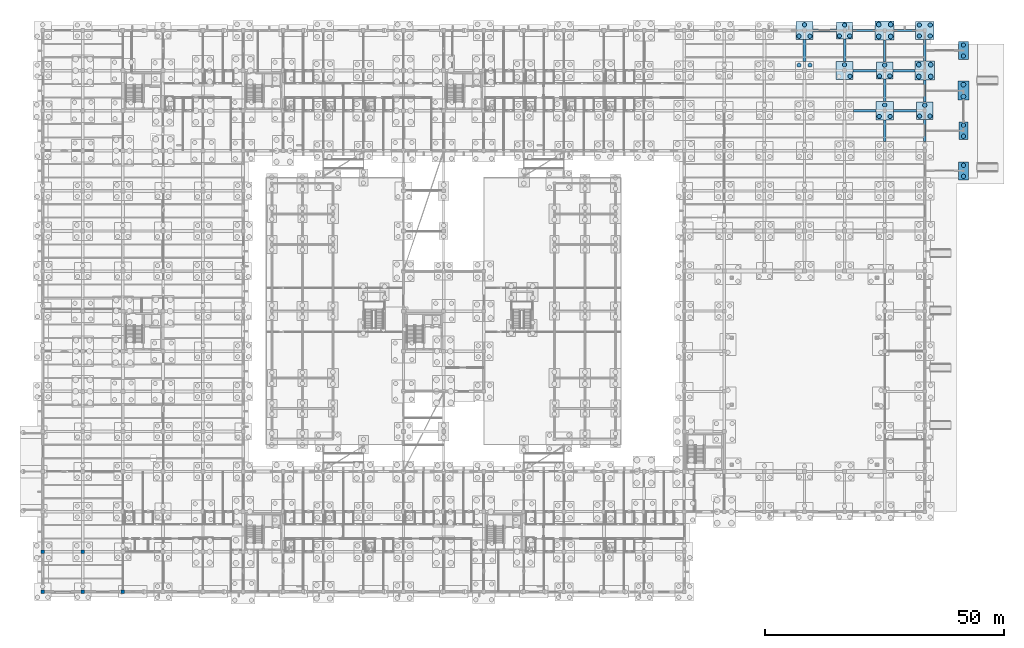
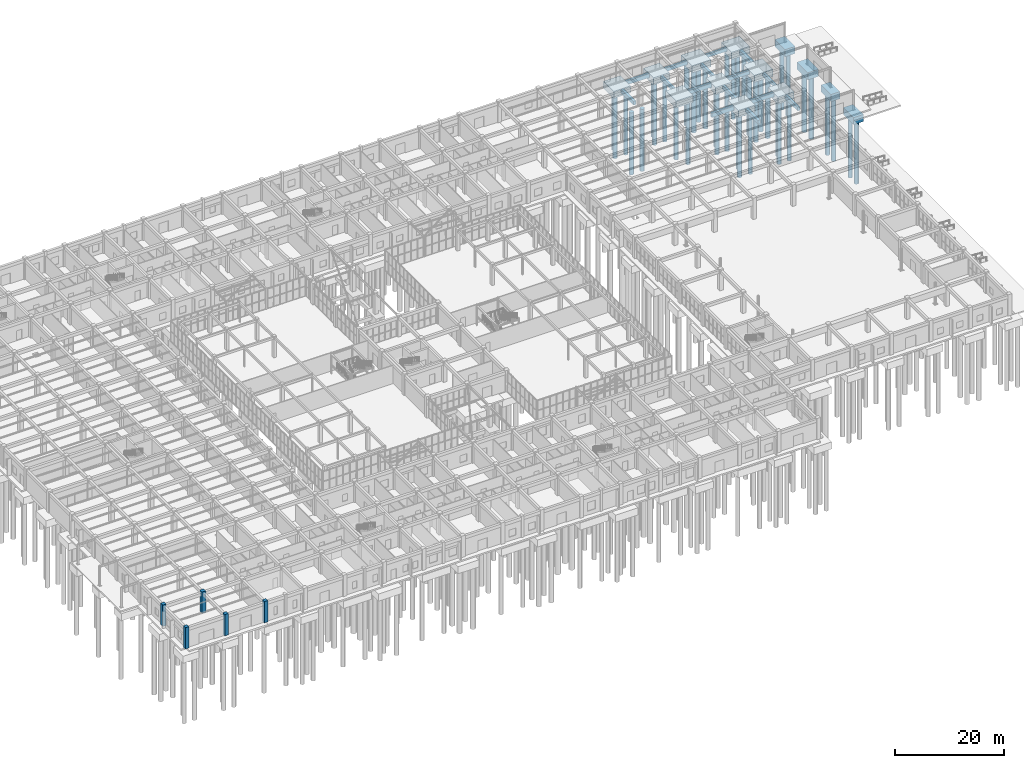
# One storey, part 16 of 192: 39 piles, 28 footings, 5 columns.
"""IFC4 building model written with IfcOpenShell, lengths in metres."""

from ifc_helpers import new_model, si_unit, direction, frame, origin, origin_2d, place, context, subcontext, project, spatial, rectangle, circle, extrude, material, layer, layer_set, material_profile, profile_set, type_object, element, save


model = new_model("IFC4")

# Units and contexts
model_context = context("Model", 3, precision=1e-05, world=origin(), true_north=direction((0.0, 1.0)))
body_context = subcontext(model_context, "Body", "Model", "MODEL_VIEW")
ifc_project = project(units=[si_unit("LENGTHUNIT", "METRE"), si_unit("AREAUNIT", "SQUARE_METRE"), si_unit("VOLUMEUNIT", "CUBIC_METRE"), si_unit("PLANEANGLEUNIT", "RADIAN"), si_unit("MASSUNIT", "GRAM", prefix="KILO")], contexts=[model_context])

# Site, building, storey
site_placement = place(None, origin())
site = spatial("IfcSite", under=ifc_project, at=site_placement, CompositionType="ELEMENT")
building_placement = place(site_placement, origin())
building = spatial("IfcBuilding", under=site, at=building_placement, Name="Trelvath General Hospital", CompositionType="ELEMENT")
storey_placement = place(building_placement, origin())
storey = spatial("IfcBuildingStorey", under=building, at=storey_placement, Name="L00", CompositionType="ELEMENT", Elevation=0.0)

# Piles
ifc_material_1 = material(Name="Concrete C35/45", Category="concrete")
ifc_material_profile_1 = material_profile(ifc_material_1, circle(Radius=0.5, at=origin_2d()), Name="PILE1000")
ifc_profile_set_1 = profile_set([ifc_material_profile_1], Name="Concrete C35/45")
pile_type_1 = type_object("IfcPileType", Name="BoredPile D1000", PredefinedType="BORED", material=ifc_profile_set_1)
for number, where, z_axis, x_axis, name in (
    (1, (175.14990234375, 116.35009765625, -1.800048828125), (0.0, 0.0, -1.0), (1.0, 0.0, 0.0), "Bored Pile P-1126"),
    (2, (177.64990234375, 116.35009765625, -1.800048828125), (0.0, 0.0, -1.0), (1.0, 0.0, 0.0), "Bored Pile P-1127"),
    (3, (175.14990234375, 118.85009765625, -1.800048828125), (0.0, 0.0, -1.0), (1.0, 0.0, 0.0), "Bored Pile P-1128"),
    (4, (177.64990234375, 118.85009765625, -1.800048828125), (0.0, 0.0, -1.0), (1.0, 0.0, 0.0), "Bored Pile P-1129"),
    (5, (183.550048828125, 107.949951171875, -1.800048828125), (0.0, 0.0, -1.0), (1.0, 0.0, 0.0), "Bored Pile P-1168"),
    (6, (186.050048828125, 107.949951171875, -1.800048828125), (0.0, 0.0, -1.0), (1.0, 0.0, 0.0), "Bored Pile P-1169"),
    (7, (183.550048828125, 110.449951171875, -1.800048828125), (0.0, 0.0, -1.0), (1.0, 0.0, 0.0), "Bored Pile P-1170"),
    (8, (186.050048828125, 110.449951171875, -1.800048828125), (0.0, 0.0, -1.0), (1.0, 0.0, 0.0), "Bored Pile P-1171"),
    (9, (192.89990234375, 103.75, -1.800048828125), (0.0, 0.0, -1.0), (1.0, 0.0, 0.0), "Bored Pile P-1180"),
    (10, (192.89990234375, 106.25, -1.800048828125), (0.0, 0.0, -1.0), (1.0, 0.0, 0.0), "Bored Pile P-1181"),
):
    element("IfcPile", number, at=place(storey_placement, frame(where, z_axis=z_axis, x_axis=x_axis)), inside=storey, type_object=pile_type_1, Name=name, PredefinedType="BORED", context=body_context, shape_type="SweptSolid", body=[
        extrude(circle(Radius=0.5, at=origin_2d()), origin(), (0.0, 0.0, 1.0), 14.0),
    ])
ifc_material_2 = material(Name="Concrete C35/45", Category="concrete")
ifc_material_profile_2 = material_profile(ifc_material_2, circle(Radius=0.449951171875, at=origin_2d()), Name="PILE900")
ifc_profile_set_2 = profile_set([ifc_material_profile_2], Name="Concrete C35/45")
pile_type_2 = type_object("IfcPileType", Name="BoredPile D900", PredefinedType="BORED", material=ifc_profile_set_2)
for number, where, z_axis, x_axis, name in (
    (11, (158.449951171875, 110.35009765625, -1.800048828125), (0.0, 0.0, -1.0), (1.0, 0.0, 0.0), "Bored Pile P-1050"),
    (12, (160.75, 110.35009765625, -1.800048828125), (0.0, 0.0, -1.0), (1.0, 0.0, 0.0), "Bored Pile P-1051"),
    (13, (158.4599609375, 116.39990234375, -1.800048828125), (0.0, 0.0, -1.0), (1.0, 0.0, 0.0), "Bored Pile P-1052"),
    (14, (160.739990234375, 116.39990234375, -1.800048828125), (0.0, 0.0, -1.0), (1.0, 0.0, 0.0), "Bored Pile P-1053"),
    (15, (159.60009765625, 118.800048828125, -1.800048828125), (0.0, 0.0, -1.0), (1.0, 0.0, 0.0), "Bored Pile P-1054"),
    (16, (169.139892578125, 108.0, -1.800048828125), (0.0, 0.0, -1.0), (1.0, 0.0, 0.0), "Bored Pile P-1081"),
    (17, (168.0, 110.39990234375, -1.800048828125), (0.0, 0.0, -1.0), (1.0, 0.0, 0.0), "Bored Pile P-1082"),
    (18, (166.919921875, 116.4599609375, -1.800048828125), (0.0, 0.0, -1.0), (1.0, 0.0, 0.0), "Bored Pile P-1083"),
    (19, (169.080078125, 116.4599609375, -1.800048828125), (0.0, 0.0, -1.0), (1.0, 0.0, 0.0), "Bored Pile P-1084"),
    (20, (168.0, 118.739990234375, -1.800048828125), (0.0, 0.0, -1.0), (1.0, 0.0, 0.0), "Bored Pile P-1085"),
    (21, (175.260009765625, 99.60009765625, -1.800048828125), (0.0, 0.0, -1.0), (1.0, 0.0, 0.0), "Bored Pile P-1120"),
    (22, (177.5400390625, 99.60009765625, -1.800048828125), (0.0, 0.0, -1.0), (1.0, 0.0, 0.0), "Bored Pile P-1121"),
    (23, (176.39990234375, 102.0, -1.800048828125), (0.0, 0.0, -1.0), (1.0, 0.0, 0.0), "Bored Pile P-1122"),
    (24, (175.320068359375, 108.06005859375, -1.800048828125), (0.0, 0.0, -1.0), (1.0, 0.0, 0.0), "Bored Pile P-1123"),
    (25, (177.47998046875, 108.06005859375, -1.800048828125), (0.0, 0.0, -1.0), (1.0, 0.0, 0.0), "Bored Pile P-1124"),
    (26, (176.39990234375, 110.340087890625, -1.800048828125), (0.0, 0.0, -1.0), (1.0, 0.0, 0.0), "Bored Pile P-1125"),
    (27, (183.719970703125, 99.659912109375, -1.800048828125), (0.0, 0.0, -1.0), (1.0, 0.0, 0.0), "Bored Pile P-1165"),
    (28, (185.8798828125, 99.659912109375, -1.800048828125), (0.0, 0.0, -1.0), (1.0, 0.0, 0.0), "Bored Pile P-1166"),
    (29, (184.800048828125, 101.93994140625, -1.800048828125), (0.0, 0.0, -1.0), (1.0, 0.0, 0.0), "Bored Pile P-1167"),
    (30, (183.64990234375, 116.449951171875, -1.800048828125), (0.0, 0.0, -1.0), (1.0, 0.0, 0.0), "Bored Pile P-1172"),
    (31, (185.949951171875, 116.449951171875, -1.800048828125), (0.0, 0.0, -1.0), (1.0, 0.0, 0.0), "Bored Pile P-1173"),
    (32, (183.64990234375, 118.75, -1.800048828125), (0.0, 0.0, -1.0), (1.0, 0.0, 0.0), "Bored Pile P-1174"),
    (33, (185.949951171875, 118.75, -1.800048828125), (0.0, 0.0, -1.0), (1.0, 0.0, 0.0), "Bored Pile P-1175"),
    (34, (192.89990234375, 87.050048828125, -1.800048828125), (0.0, 0.0, -1.0), (1.0, 0.0, 0.0), "Bored Pile P-1176"),
    (35, (192.89990234375, 89.35009765625, -1.800048828125), (0.0, 0.0, -1.0), (1.0, 0.0, 0.0), "Bored Pile P-1177"),
    (36, (192.89990234375, 95.449951171875, -1.800048828125), (0.0, 0.0, -1.0), (1.0, 0.0, 0.0), "Bored Pile P-1178"),
    (37, (192.89990234375, 97.75, -1.800048828125), (0.0, 0.0, -1.0), (1.0, 0.0, 0.0), "Bored Pile P-1179"),
    (38, (192.89990234375, 112.25, -1.800048828125), (0.0, 0.0, -1.0), (1.0, 0.0, 0.0), "Bored Pile P-1182"),
    (39, (192.89990234375, 114.550048828125, -1.800048828125), (0.0, 0.0, -1.0), (1.0, 0.0, 0.0), "Bored Pile P-1183"),
):
    element("IfcPile", number, at=place(storey_placement, frame(where, z_axis=z_axis, x_axis=x_axis)), inside=storey, type_object=pile_type_2, Name=name, PredefinedType="BORED", context=body_context, shape_type="SweptSolid", body=[
        extrude(circle(Radius=0.449951171875, at=origin_2d()), origin(), (0.0, 0.0, 1.0), 14.0),
    ])

# Footings
ifc_material_3 = material(Name="Concrete C35/45", Category="concrete")
ifc_layer_1 = layer(ifc_material_3, 1.60009765625)
ifc_layer_set_1 = layer_set([ifc_layer_1], Name="Concrete C35/45")
footing_type_1 = type_object("IfcFootingType", Name="PileCap 2P 190x360", PredefinedType="PILE_CAP", material=ifc_layer_set_1)
footing_1_placement = place(storey_placement, frame((192.89990234375, 96.60009765625, -1.900146484375), z_axis=(0.0, 0.0, 1.0), x_axis=(1.0, 0.0, 0.0)))
element("IfcFooting", 40, at=footing_1_placement, inside=storey, type_object=footing_type_1, Name="Pile Cap PC-324", PredefinedType="PILE_CAP", context=body_context, shape_type="SweptSolid", body=[
    extrude(rectangle(XDim=1.89990234375, YDim=3.60009765625, at=origin_2d()), origin(), (0.0, 0.0, 1.0), 1.60009765625),
])
ifc_material_4 = material(Name="Concrete C35/45", Category="concrete")
ifc_layer_2 = layer(ifc_material_4, 1.60009765625)
ifc_layer_set_2 = layer_set([ifc_layer_2], Name="Concrete C35/45")
footing_type_2 = type_object("IfcFootingType", Name="PileCap 2P 210x380", PredefinedType="PILE_CAP", material=ifc_layer_set_2)
for number, where, z_axis, x_axis, name in (
    (41, (192.89990234375, 88.199951171875, -1.900146484375), (0.0, 0.0, 1.0), (1.0, 0.0, 0.0), "Pile Cap PC-323"),
    (42, (192.89990234375, 113.39990234375, -1.900146484375), (0.0, 0.0, 1.0), (1.0, 0.0, 0.0), "Pile Cap PC-326"),
):
    element("IfcFooting", number, at=place(storey_placement, frame(where, z_axis=z_axis, x_axis=x_axis)), inside=storey, type_object=footing_type_2, Name=name, PredefinedType="PILE_CAP", context=body_context, shape_type="SweptSolid", body=[
        extrude(rectangle(XDim=2.10009765625, YDim=3.800048828125, at=origin_2d()), origin(), (0.0, 0.0, 1.0), 1.60009765625),
    ])
ifc_material_5 = material(Name="Concrete C35/45", Category="concrete")
ifc_layer_3 = layer(ifc_material_5, 1.60009765625)
ifc_layer_set_3 = layer_set([ifc_layer_3], Name="Concrete C35/45")
footing_type_3 = type_object("IfcFootingType", Name="PileCap 2P 230x400", PredefinedType="PILE_CAP", material=ifc_layer_set_3)
footing_2_placement = place(storey_placement, frame((192.89990234375, 105.0, -1.900146484375), z_axis=(0.0, 0.0, 1.0), x_axis=(1.0, 0.0, 0.0)))
element("IfcFooting", 43, at=footing_2_placement, inside=storey, type_object=footing_type_3, Name="Pile Cap PC-325", PredefinedType="PILE_CAP", context=body_context, shape_type="SweptSolid", body=[
    extrude(rectangle(XDim=2.300048828125, YDim=4.0, at=origin_2d()), origin(), (0.0, 0.0, 1.0), 1.60009765625),
])
ifc_material_6 = material(Name="Concrete C35/45", Category="concrete")
ifc_layer_4 = layer(ifc_material_6, 1.60009765625)
ifc_layer_set_4 = layer_set([ifc_layer_4], Name="Concrete C35/45")
footing_type_4 = type_object("IfcFootingType", Name="PileCap 3P 340x360", PredefinedType="PILE_CAP", material=ifc_layer_set_4)
for number, where, z_axis, x_axis, name in (
    (44, (168.0, 117.60009765625, -1.900146484375), (0.0, 0.0, 1.0), (1.0, 0.0, 0.0), "Pile Cap PC-296"),
    (45, (176.39990234375, 109.199951171875, -1.900146484375), (0.0, 0.0, 1.0), (1.0, 0.0, 0.0), "Pile Cap PC-308"),
    (46, (184.800048828125, 100.800048828125, -1.900146484375), (0.0, 0.0, 1.0), (1.0, 0.0, 0.0), "Pile Cap PC-320"),
):
    element("IfcFooting", number, at=place(storey_placement, frame(where, z_axis=z_axis, x_axis=x_axis)), inside=storey, type_object=footing_type_4, Name=name, PredefinedType="PILE_CAP", context=body_context, shape_type="SweptSolid", body=[
        extrude(rectangle(XDim=3.39990234375, YDim=3.60009765625, at=origin_2d()), origin(), (0.0, 0.0, 1.0), 1.60009765625),
    ])
ifc_material_7 = material(Name="Concrete C35/45", Category="concrete")
ifc_layer_5 = layer(ifc_material_7, 1.60009765625)
ifc_layer_set_5 = layer_set([ifc_layer_5], Name="Concrete C35/45")
footing_type_5 = type_object("IfcFootingType", Name="PileCap 3P 360x380", PredefinedType="PILE_CAP", material=ifc_layer_set_5)
for number, where, z_axis, x_axis, name in (
    (47, (159.60009765625, 117.60009765625, -1.900146484375), (0.0, 0.0, 1.0), (1.0, 0.0, 0.0), "Pile Cap PC-287"),
    (48, (168.0, 109.199951171875, -1.900146484375), (0.0, 0.0, 1.0), (1.0, 0.0, 0.0), "Pile Cap PC-295"),
    (49, (176.39990234375, 100.800048828125, -1.900146484375), (0.0, 0.0, 1.0), (1.0, 0.0, 0.0), "Pile Cap PC-307"),
):
    element("IfcFooting", number, at=place(storey_placement, frame(where, z_axis=z_axis, x_axis=x_axis)), inside=storey, type_object=footing_type_5, Name=name, PredefinedType="PILE_CAP", context=body_context, shape_type="SweptSolid", body=[
        extrude(rectangle(XDim=3.60009765625, YDim=3.800048828125, at=origin_2d()), origin(), (0.0, 0.0, 1.0), 1.60009765625),
    ])
ifc_material_8 = material(Name="Concrete C35/45", Category="concrete")
ifc_layer_6 = layer(ifc_material_8, 1.60009765625)
ifc_layer_set_6 = layer_set([ifc_layer_6], Name="Concrete C35/45")
footing_type_6 = type_object("IfcFootingType", Name="PileCap 4P 380x380", PredefinedType="PILE_CAP", material=ifc_layer_set_6)
footing_3_placement = place(storey_placement, frame((184.800048828125, 117.60009765625, -1.900146484375), z_axis=(0.0, 0.0, 1.0), x_axis=(1.0, 0.0, 0.0)))
element("IfcFooting", 50, at=footing_3_placement, inside=storey, type_object=footing_type_6, Name="Pile Cap PC-322", PredefinedType="PILE_CAP", context=body_context, shape_type="SweptSolid", body=[
    extrude(rectangle(XDim=3.800048828125, YDim=3.800048828125, at=origin_2d()), origin(), (0.0, 0.0, 1.0), 1.60009765625),
])
ifc_material_9 = material(Name="Concrete C35/45", Category="concrete")
ifc_layer_7 = layer(ifc_material_9, 1.60009765625)
ifc_layer_set_7 = layer_set([ifc_layer_7], Name="Concrete C35/45")
footing_type_7 = type_object("IfcFootingType", Name="PileCap 4P 400x400", PredefinedType="PILE_CAP", material=ifc_layer_set_7)
for number, where, z_axis, x_axis, name in (
    (51, (176.39990234375, 117.60009765625, -1.900146484375), (0.0, 0.0, 1.0), (1.0, 0.0, 0.0), "Pile Cap PC-309"),
    (52, (184.800048828125, 109.199951171875, -1.900146484375), (0.0, 0.0, 1.0), (1.0, 0.0, 0.0), "Pile Cap PC-321"),
):
    element("IfcFooting", number, at=place(storey_placement, frame(where, z_axis=z_axis, x_axis=x_axis)), inside=storey, type_object=footing_type_7, Name=name, PredefinedType="PILE_CAP", context=body_context, shape_type="SweptSolid", body=[
        extrude(rectangle(XDim=4.0, YDim=4.0, at=origin_2d()), origin(), (0.0, 0.0, 1.0), 1.60009765625),
    ])
ifc_material_10 = material(Name="Concrete C35/45", Category="concrete")
ifc_layer_8 = layer(ifc_material_10, 0.75)
ifc_layer_set_8 = layer_set([ifc_layer_8], Name="Concrete C35/45")
footing_type_8 = type_object("IfcFootingType", Name="TieBeam 450x750", PredefinedType="FOOTING_BEAM", material=ifc_layer_set_8)
footing_4_placement = place(storey_placement, frame((176.39990234375, 113.300048828125, -1.050048828125), z_axis=(0.0, 0.0, 1.0), x_axis=(1.0, 0.0, 0.0)))
element("IfcFooting", 53, at=footing_4_placement, inside=storey, type_object=footing_type_8, Name="Foundation Tie Beam TB-371", PredefinedType="FOOTING_BEAM", context=body_context, shape_type="SweptSolid", body=[
    extrude(rectangle(XDim=0.449951171875, YDim=4.60009765625, at=origin_2d()), origin(), (0.0, 0.0, 1.0), 0.75),
])
footing_5_placement = place(storey_placement, frame((180.64990234375, 117.60009765625, -1.050048828125), z_axis=(0.0, 0.0, 1.0), x_axis=(1.0, 0.0, 0.0)))
element("IfcFooting", 54, at=footing_5_placement, inside=storey, type_object=footing_type_8, Name="Foundation Tie Beam TB-372", PredefinedType="FOOTING_BEAM", context=body_context, shape_type="SweptSolid", body=[
    extrude(rectangle(XDim=4.5, YDim=0.449951171875, at=origin_2d()), origin(), (0.0, 0.0, 1.0), 0.75),
])
footing_6_placement = place(storey_placement, frame((184.800048828125, 104.89990234375, -1.050048828125), z_axis=(0.0, 0.0, 1.0), x_axis=(1.0, 0.0, 0.0)))
element("IfcFooting", 55, at=footing_6_placement, inside=storey, type_object=footing_type_8, Name="Foundation Tie Beam TB-383", PredefinedType="FOOTING_BEAM", context=body_context, shape_type="SweptSolid", body=[
    extrude(rectangle(XDim=0.449951171875, YDim=4.60009765625, at=origin_2d()), origin(), (0.0, 0.0, 1.0), 0.75),
])
ifc_material_11 = material(Name="Concrete C35/45", Category="concrete")
ifc_layer_9 = layer(ifc_material_11, 0.800048828125)
ifc_layer_set_9 = layer_set([ifc_layer_9], Name="Concrete C35/45")
footing_type_9 = type_object("IfcFootingType", Name="TieBeam 500x800", PredefinedType="FOOTING_BEAM", material=ifc_layer_set_9)
footing_7_placement = place(storey_placement, frame((168.0, 113.449951171875, -1.10009765625), z_axis=(0.0, 0.0, 1.0), x_axis=(1.0, 0.0, 0.0)))
element("IfcFooting", 56, at=footing_7_placement, inside=storey, type_object=footing_type_9, Name="Foundation Tie Beam TB-357", PredefinedType="FOOTING_BEAM", context=body_context, shape_type="SweptSolid", body=[
    extrude(rectangle(XDim=0.5, YDim=4.699951171875, at=origin_2d()), origin(), (0.0, 0.0, 1.0), 0.800048828125),
])
footing_8_placement = place(storey_placement, frame((172.050048828125, 117.60009765625, -1.10009765625), z_axis=(0.0, 0.0, 1.0), x_axis=(1.0, 0.0, 0.0)))
element("IfcFooting", 57, at=footing_8_placement, inside=storey, type_object=footing_type_9, Name="Foundation Tie Beam TB-358", PredefinedType="FOOTING_BEAM", context=body_context, shape_type="SweptSolid", body=[
    extrude(rectangle(XDim=4.699951171875, YDim=0.5, at=origin_2d()), origin(), (0.0, 0.0, 1.0), 0.800048828125),
])
footing_9_placement = place(storey_placement, frame((176.39990234375, 105.050048828125, -1.10009765625), z_axis=(0.0, 0.0, 1.0), x_axis=(1.0, 0.0, 0.0)))
element("IfcFooting", 58, at=footing_9_placement, inside=storey, type_object=footing_type_9, Name="Foundation Tie Beam TB-369", PredefinedType="FOOTING_BEAM", context=body_context, shape_type="SweptSolid", body=[
    extrude(rectangle(XDim=0.5, YDim=4.699951171875, at=origin_2d()), origin(), (0.0, 0.0, 1.0), 0.800048828125),
])
footing_10_placement = place(storey_placement, frame((180.449951171875, 109.199951171875, -1.10009765625), z_axis=(0.0, 0.0, 1.0), x_axis=(1.0, 0.0, 0.0)))
element("IfcFooting", 59, at=footing_10_placement, inside=storey, type_object=footing_type_9, Name="Foundation Tie Beam TB-370", PredefinedType="FOOTING_BEAM", context=body_context, shape_type="SweptSolid", body=[
    extrude(rectangle(XDim=4.699951171875, YDim=0.5, at=origin_2d()), origin(), (0.0, 0.0, 1.0), 0.800048828125),
])
footing_11_placement = place(storey_placement, frame((184.800048828125, 96.64990234375, -1.10009765625), z_axis=(0.0, 0.0, 1.0), x_axis=(1.0, 0.0, 0.0)))
element("IfcFooting", 60, at=footing_11_placement, inside=storey, type_object=footing_type_9, Name="Foundation Tie Beam TB-382", PredefinedType="FOOTING_BEAM", context=body_context, shape_type="SweptSolid", body=[
    extrude(rectangle(XDim=0.5, YDim=4.699951171875, at=origin_2d()), origin(), (0.0, 0.0, 1.0), 0.800048828125),
])
ifc_material_12 = material(Name="Concrete C35/45", Category="concrete")
ifc_layer_10 = layer(ifc_material_12, 0.85009765625)
ifc_layer_set_10 = layer_set([ifc_layer_10], Name="Concrete C35/45")
footing_type_10 = type_object("IfcFootingType", Name="TieBeam 550x850", PredefinedType="FOOTING_BEAM", material=ifc_layer_set_10)
footing_12_placement = place(storey_placement, frame((159.60009765625, 113.39990234375, -1.150146484375), z_axis=(0.0, 0.0, 1.0), x_axis=(1.0, 0.0, 0.0)))
element("IfcFooting", 61, at=footing_12_placement, inside=storey, type_object=footing_type_10, Name="Foundation Tie Beam TB-343", PredefinedType="FOOTING_BEAM", context=body_context, shape_type="SweptSolid", body=[
    extrude(rectangle(XDim=0.550048828125, YDim=4.60009765625, at=origin_2d()), origin(), (0.0, 0.0, 1.0), 0.85009765625),
])
for number, where, z_axis, x_axis, name in (
    (62, (163.85009765625, 117.60009765625, -1.150146484375), (0.0, 0.0, 1.0), (1.0, 0.0, 0.0), "Foundation Tie Beam TB-344"),
    (63, (172.25, 109.199951171875, -1.150146484375), (0.0, 0.0, 1.0), (1.0, 0.0, 0.0), "Foundation Tie Beam TB-356"),
):
    element("IfcFooting", number, at=place(storey_placement, frame(where, z_axis=z_axis, x_axis=x_axis)), inside=storey, type_object=footing_type_10, Name=name, PredefinedType="FOOTING_BEAM", context=body_context, shape_type="SweptSolid", body=[
        extrude(rectangle(XDim=4.89990234375, YDim=0.550048828125, at=origin_2d()), origin(), (0.0, 0.0, 1.0), 0.85009765625),
    ])
footing_13_placement = place(storey_placement, frame((176.39990234375, 96.60009765625, -1.150146484375), z_axis=(0.0, 0.0, 1.0), x_axis=(1.0, 0.0, 0.0)))
element("IfcFooting", 64, at=footing_13_placement, inside=storey, type_object=footing_type_10, Name="Foundation Tie Beam TB-367", PredefinedType="FOOTING_BEAM", context=body_context, shape_type="SweptSolid", body=[
    extrude(rectangle(XDim=0.550048828125, YDim=4.60009765625, at=origin_2d()), origin(), (0.0, 0.0, 1.0), 0.85009765625),
])
footing_14_placement = place(storey_placement, frame((180.64990234375, 100.800048828125, -1.150146484375), z_axis=(0.0, 0.0, 1.0), x_axis=(1.0, 0.0, 0.0)))
element("IfcFooting", 65, at=footing_14_placement, inside=storey, type_object=footing_type_10, Name="Foundation Tie Beam TB-368", PredefinedType="FOOTING_BEAM", context=body_context, shape_type="SweptSolid", body=[
    extrude(rectangle(XDim=4.89990234375, YDim=0.550048828125, at=origin_2d()), origin(), (0.0, 0.0, 1.0), 0.85009765625),
])
ifc_material_13 = material(Name="Concrete C35/45", Category="concrete")
ifc_layer_11 = layer(ifc_material_13, 0.89990234375)
ifc_layer_set_11 = layer_set([ifc_layer_11], Name="Concrete C35/45")
footing_type_11 = type_object("IfcFootingType", Name="TieBeam 600x900", PredefinedType="FOOTING_BEAM", material=ifc_layer_set_11)
footing_15_placement = place(storey_placement, frame((172.25, 100.800048828125, -1.199951171875), z_axis=(0.0, 0.0, 1.0), x_axis=(1.0, 0.0, 0.0)))
element("IfcFooting", 66, at=footing_15_placement, inside=storey, type_object=footing_type_11, Name="Foundation Tie Beam TB-354", PredefinedType="FOOTING_BEAM", context=body_context, shape_type="SweptSolid", body=[
    extrude(rectangle(XDim=4.699951171875, YDim=0.60009765625, at=origin_2d()), origin(), (0.0, 0.0, 1.0), 0.89990234375),
])
footing_16_placement = place(storey_placement, frame((184.800048828125, 113.449951171875, -1.199951171875), z_axis=(0.0, 0.0, 1.0), x_axis=(1.0, 0.0, 0.0)))
element("IfcFooting", 67, at=footing_16_placement, inside=storey, type_object=footing_type_11, Name="Foundation Tie Beam TB-384", PredefinedType="FOOTING_BEAM", context=body_context, shape_type="SweptSolid", body=[
    extrude(rectangle(XDim=0.60009765625, YDim=4.5, at=origin_2d()), origin(), (0.0, 0.0, 1.0), 0.89990234375),
])

# Columns
ifc_material_14 = material(Name="Concrete C40/50", Category="concrete")
ifc_material_profile_3 = material_profile(ifc_material_14, rectangle(XDim=0.760009765625, YDim=0.760009765625, at=origin_2d()), Name="RC760x760")
ifc_profile_set_3 = profile_set([ifc_material_profile_3], Name="Concrete C40/50")
column_type_1 = type_object("IfcColumnType", Name="Column RC760", PredefinedType="COLUMN", material=ifc_profile_set_3)
for number, where, z_axis, x_axis, name in (
    (68, (0.0, 0.0, 0.0), (0.0, 0.0, 1.0), (1.0, 0.0, 0.0), "Column C-1A L00"),
    (69, (0.0, 8.39990234375, 0.0), (0.0, 0.0, 1.0), (1.0, 0.0, 0.0), "Column C-1B L00"),
    (70, (8.39990234375, 0.0, 0.0), (0.0, 0.0, 1.0), (1.0, 0.0, 0.0), "Column C-2A L00"),
    (71, (16.800048828125, 0.0, 0.0), (0.0, 0.0, 1.0), (1.0, 0.0, 0.0), "Column C-3A L00"),
):
    element("IfcColumn", number, at=place(storey_placement, frame(where, z_axis=z_axis, x_axis=x_axis)), inside=storey, type_object=column_type_1, Name=name, PredefinedType="COLUMN", context=body_context, shape_type="SweptSolid", body=[
        extrude(rectangle(XDim=0.760009765625, YDim=0.760009765625, at=origin_2d()), origin(), (0.0, 0.0, 1.0), 4.800048828125),
    ])
ifc_material_15 = material(Name="Concrete C40/50", Category="concrete")
ifc_material_profile_4 = material_profile(ifc_material_15, rectangle(XDim=0.800048828125, YDim=0.800048828125, at=origin_2d()), Name="RC800x800")
ifc_profile_set_4 = profile_set([ifc_material_profile_4], Name="Concrete C40/50")
column_type_2 = type_object("IfcColumnType", Name="Column RC800", PredefinedType="COLUMN", material=ifc_profile_set_4)
column_placement = place(storey_placement, frame((8.39990234375, 8.39990234375, 0.0), z_axis=(0.0, 0.0, 1.0), x_axis=(1.0, 0.0, 0.0)))
element("IfcColumn", 72, at=column_placement, inside=storey, type_object=column_type_2, Name="Column C-2B L00", PredefinedType="COLUMN", context=body_context, shape_type="SweptSolid", body=[
    extrude(rectangle(XDim=0.800048828125, YDim=0.800048828125, at=origin_2d()), origin(), (0.0, 0.0, 1.0), 4.800048828125),
])

save(model, "model.ifc")
